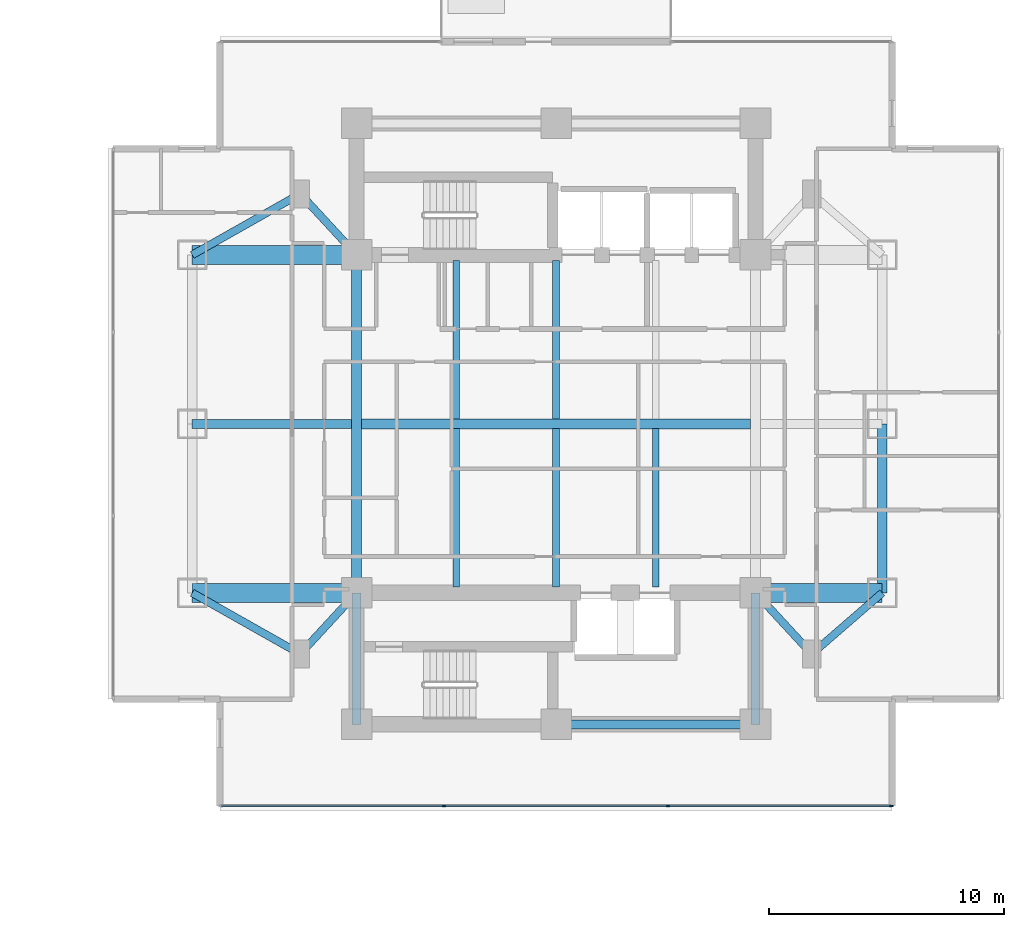
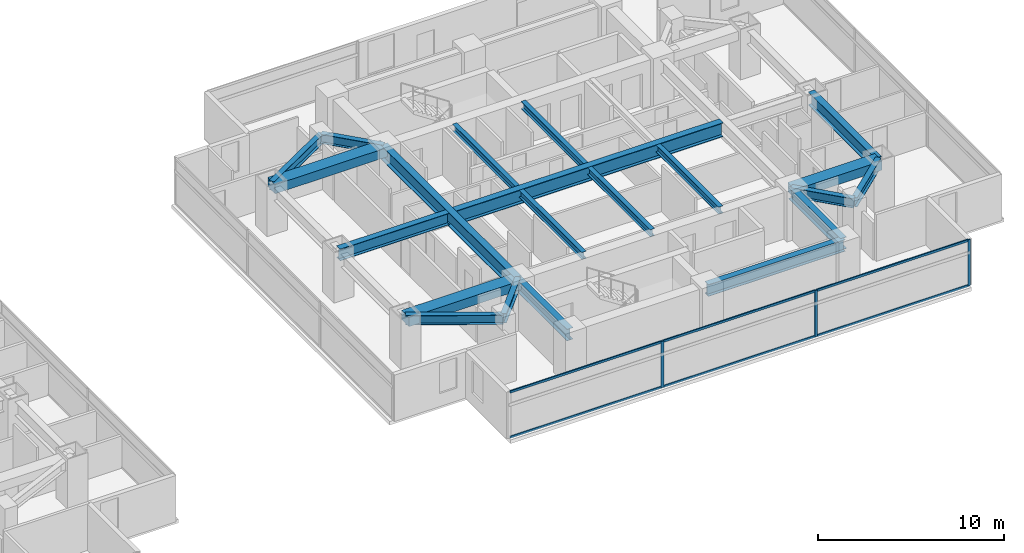
# One storey, part 9 of 24: 21 beams, 9 members, 1 element without a shape of its own.
"""IFC4 building model written with IfcOpenShell, lengths in metres."""

from ifc_helpers import new_model, si_unit, direction, frame, origin, origin_2d, place, context, subcontext, project, spatial, rectangle, i_section, extrude, material, material_profile, profile_set, type_object, element, aggregate, save


model = new_model("IFC4")

# Units and contexts
model_context = context("Model", 3, precision=1e-05, world=origin(), true_north=direction((0.0, 1.0)))
body_context = subcontext(model_context, "Body", "Model", "MODEL_VIEW")
ifc_project = project(units=[si_unit("LENGTHUNIT", "METRE"), si_unit("AREAUNIT", "SQUARE_METRE"), si_unit("VOLUMEUNIT", "CUBIC_METRE"), si_unit("PLANEANGLEUNIT", "RADIAN"), si_unit("MASSUNIT", "GRAM", prefix="KILO")], contexts=[model_context])

# Site, building, storey
site_placement = place(None, origin())
site = spatial("IfcSite", under=ifc_project, at=site_placement, CompositionType="ELEMENT")
building_placement = place(site_placement, origin())
building = spatial("IfcBuilding", under=site, at=building_placement, Name="Mirazonda Arch Towers", CompositionType="ELEMENT")
storey_placement = place(building_placement, frame((0.0, 0.0, 71.89990234375)))
storey = spatial("IfcBuildingStorey", under=building, at=storey_placement, Name="L20", CompositionType="ELEMENT", Elevation=71.89990234375)

# Beams
ifc_material_1 = material(Name="Steel ASTM A992 Grade 50", Category="steel")
ifc_material_profile_1 = material_profile(ifc_material_1, i_section(OverallWidth=0.39990234375, OverallDepth=0.85595703125, WebThickness=0.018310546875, FlangeThickness=0.029296875, at=origin_2d()), Name="W33X201")
ifc_profile_set_1 = profile_set([ifc_material_profile_1], Name="Steel ASTM A992 Grade 50")
beam_type_1 = type_object("IfcBeamType", Name="BM-EXT-W33X201", PredefinedType="USERDEFINED", material=ifc_profile_set_1)
beam_1_placement = place(storey_placement, frame((90.39990234375, 20.800048828125, 2.632080078125), z_axis=(0.0, 1.0, 0.0), x_axis=(-1.0, 0.0, 0.0)))
element("IfcBeam", 1, at=beam_1_placement, inside=storey, type_object=beam_type_1, Name="L20 Floor Beam BM-T2-L20-NS-E-20", ObjectType="GIRDER", PredefinedType="USERDEFINED", context=body_context, shape_type="SweptSolid", body=[
    extrude(i_section(OverallWidth=0.39990234375, OverallDepth=0.85595703125, WebThickness=0.018310546875, FlangeThickness=0.029296875, at=origin_2d()), origin(), (0.0, 0.0, 1.0), 7.199951171875),
])
ifc_material_profile_2 = material_profile(ifc_material_1, i_section(OverallWidth=0.280029296875, OverallDepth=0.462890625, WebThickness=0.0107421875, FlangeThickness=0.017333984375, at=origin_2d()), Name="W18X76")
ifc_profile_set_2 = profile_set([ifc_material_profile_2], Name="Steel ASTM A992 Grade 50")
beam_type_2 = type_object("IfcBeamType", Name="BM-INT-W18X76", PredefinedType="JOIST", material=ifc_profile_set_2)
for number, where, z_axis, x_axis, name in (
    (2, (72.25, 21.0400390625, 2.82861328125), (0.0, 1.0, 0.0), (-1.0, 0.0, 0.0), "L20 Floor Beam BM-T2-L20-J-722-20"),
    (3, (72.25, 28.205078125, 2.82861328125), (0.0, 1.0, 0.0), (-1.0, 0.0, 0.0), "L20 Floor Beam BM-T2-L20-J-722-28"),
    (4, (76.5, 21.0400390625, 2.82861328125), (0.0, 1.0, 0.0), (-1.0, 0.0, 0.0), "L20 Floor Beam BM-T2-L20-J-765-20"),
    (5, (76.5, 28.205078125, 2.82861328125), (0.0, 1.0, 0.0), (-1.0, 0.0, 0.0), "L20 Floor Beam BM-T2-L20-J-765-28"),
    (6, (80.75, 21.0400390625, 2.82861328125), (0.0, 1.0, 0.0), (-1.0, 0.0, 0.0), "L20 Floor Beam BM-T2-L20-J-807-20"),
):
    element("IfcBeam", number, at=place(storey_placement, frame(where, z_axis=z_axis, x_axis=x_axis)), inside=storey, type_object=beam_type_2, Name=name, PredefinedType="JOIST", context=body_context, shape_type="SweptSolid", body=[
        extrude(i_section(OverallWidth=0.280029296875, OverallDepth=0.462890625, WebThickness=0.0107421875, FlangeThickness=0.017333984375, at=origin_2d()), origin(), (0.0, 0.0, 1.0), 6.7548828125),
    ])
ifc_material_profile_3 = material_profile(ifc_material_1, i_section(OverallWidth=0.324951171875, OverallDepth=0.615966796875, WebThickness=0.013916015625, FlangeThickness=0.021484375, at=origin_2d()), Name="W24X117")
ifc_profile_set_3 = profile_set([ifc_material_profile_3], Name="Steel ASTM A992 Grade 50")
beam_type_3 = type_object("IfcBeamType", Name="BM-INT-W24X117", PredefinedType="BEAM", material=ifc_profile_set_3)
beam_2_placement = place(storey_placement, frame((65.60009765625, 18.199951171875, 2.752197265625), z_axis=(0.678251444854, 0.734829897019, 0.0), x_axis=(-0.734829897019, 0.678251444854, 0.0)))
element("IfcBeam", 7, at=beam_2_placement, inside=storey, type_object=beam_type_3, Name="L20 Floor Beam BM-T2-L20-PL-SW1", PredefinedType="BEAM", context=body_context, shape_type="SweptSolid", body=[
    extrude(i_section(OverallWidth=0.324951171875, OverallDepth=0.615966796875, WebThickness=0.013916015625, FlangeThickness=0.021484375, at=origin_2d()), origin(), (0.0, 0.0, 1.0), 3.538330078125),
])
beam_3_placement = place(storey_placement, frame((65.60009765625, 18.199951171875, 2.752197265625), z_axis=(-0.870559396632, 0.492063346467, 0.0), x_axis=(-0.492063346467, -0.870559396632, 0.0)))
element("IfcBeam", 8, at=beam_3_placement, inside=storey, type_object=beam_type_3, Name="L20 Floor Beam BM-T2-L20-PL-SW2", PredefinedType="BEAM", context=body_context, shape_type="SweptSolid", body=[
    extrude(i_section(OverallWidth=0.324951171875, OverallDepth=0.615966796875, WebThickness=0.013916015625, FlangeThickness=0.021484375, at=origin_2d()), origin(), (0.0, 0.0, 1.0), 5.2841796875),
])
beam_4_placement = place(storey_placement, frame((87.39990234375, 18.199951171875, 2.752197265625), z_axis=(-0.678251444854, 0.734829897019, 0.0), x_axis=(-0.734829897019, -0.678251444854, 0.0)))
element("IfcBeam", 9, at=beam_4_placement, inside=storey, type_object=beam_type_3, Name="L20 Floor Beam BM-T2-L20-PL-SE1", PredefinedType="BEAM", context=body_context, shape_type="SweptSolid", body=[
    extrude(i_section(OverallWidth=0.324951171875, OverallDepth=0.615966796875, WebThickness=0.013916015625, FlangeThickness=0.021484375, at=origin_2d()), origin(), (0.0, 0.0, 1.0), 3.538330078125),
])
beam_5_placement = place(storey_placement, frame((87.39990234375, 18.199951171875, 2.752197265625), z_axis=(0.755676908098, 0.654944585876, 0.0), x_axis=(-0.654944585876, 0.755676908098, 0.0)))
element("IfcBeam", 10, at=beam_5_placement, inside=storey, type_object=beam_type_3, Name="L20 Floor Beam BM-T2-L20-PL-SE2", PredefinedType="BEAM", context=body_context, shape_type="SweptSolid", body=[
    extrude(i_section(OverallWidth=0.324951171875, OverallDepth=0.615966796875, WebThickness=0.013916015625, FlangeThickness=0.021484375, at=origin_2d()), origin(), (0.0, 0.0, 1.0), 3.969970703125),
])
beam_6_placement = place(storey_placement, frame((65.60009765625, 37.800048828125, 2.752197265625), z_axis=(0.678251444854, -0.734829897019, 0.0), x_axis=(0.734829897019, 0.678251444854, 0.0)))
element("IfcBeam", 11, at=beam_6_placement, inside=storey, type_object=beam_type_3, Name="L20 Floor Beam BM-T2-L20-PL-NW1", PredefinedType="BEAM", context=body_context, shape_type="SweptSolid", body=[
    extrude(i_section(OverallWidth=0.324951171875, OverallDepth=0.615966796875, WebThickness=0.013916015625, FlangeThickness=0.021484375, at=origin_2d()), origin(), (0.0, 0.0, 1.0), 3.538330078125),
])
beam_7_placement = place(storey_placement, frame((65.60009765625, 37.800048828125, 2.752197265625), z_axis=(-0.870559396632, -0.492063346467, 0.0), x_axis=(0.492063346467, -0.870559396632, 0.0)))
element("IfcBeam", 12, at=beam_7_placement, inside=storey, type_object=beam_type_3, Name="L20 Floor Beam BM-T2-L20-PL-NW2", PredefinedType="BEAM", context=body_context, shape_type="SweptSolid", body=[
    extrude(i_section(OverallWidth=0.324951171875, OverallDepth=0.615966796875, WebThickness=0.013916015625, FlangeThickness=0.021484375, at=origin_2d()), origin(), (0.0, 0.0, 1.0), 5.2841796875),
])
ifc_material_profile_4 = material_profile(ifc_material_1, i_section(OverallWidth=0.381103515625, OverallDepth=0.77294921875, WebThickness=0.0166015625, FlangeThickness=0.027099609375, at=origin_2d()), Name="W30X173")
ifc_profile_set_4 = profile_set([ifc_material_profile_4], Name="Steel ASTM A992 Grade 50")
beam_type_4 = type_object("IfcBeamType", Name="BM-INT-W30X173", PredefinedType="USERDEFINED", material=ifc_profile_set_4)
beam_8_placement = place(storey_placement, frame((76.5, 15.199951171875, 2.673583984375), z_axis=(1.0, 0.0, 0.0), x_axis=(0.0, 1.0, 0.0)))
element("IfcBeam", 13, at=beam_8_placement, inside=storey, type_object=beam_type_4, Name="L20 Floor Beam BM-T2-L20-CS2", ObjectType="GIRDER", PredefinedType="USERDEFINED", context=body_context, shape_type="SweptSolid", body=[
    extrude(i_section(OverallWidth=0.381103515625, OverallDepth=0.77294921875, WebThickness=0.0166015625, FlangeThickness=0.027099609375, at=origin_2d()), origin(), (0.0, 0.0, 1.0), 8.5),
])
for number, where, z_axis, x_axis, name in (
    (14, (68.0, 15.199951171875, 2.673583984375), (0.0, 1.0, 0.0), (-1.0, 0.0, 0.0), "L20 Floor Beam BM-T2-L20-CSW"),
    (15, (85.0, 15.199951171875, 2.673583984375), (0.0, 1.0, 0.0), (-1.0, 0.0, 0.0), "L20 Floor Beam BM-T2-L20-CSE"),
):
    element("IfcBeam", number, at=place(storey_placement, frame(where, z_axis=z_axis, x_axis=x_axis)), inside=storey, type_object=beam_type_4, Name=name, ObjectType="GIRDER", PredefinedType="USERDEFINED", context=body_context, shape_type="SweptSolid", body=[
        extrude(i_section(OverallWidth=0.381103515625, OverallDepth=0.77294921875, WebThickness=0.0166015625, FlangeThickness=0.027099609375, at=origin_2d()), origin(), (0.0, 0.0, 1.0), 5.60009765625),
    ])
beam_9_placement = place(storey_placement, frame((61.0, 28.0, 2.673583984375), z_axis=(1.0, 0.0, 0.0), x_axis=(0.0, 1.0, 0.0)))
element("IfcBeam", 16, at=beam_9_placement, inside=storey, type_object=beam_type_4, Name="L20 Floor Beam BM-T2-L20-GW2", ObjectType="GIRDER", PredefinedType="USERDEFINED", context=body_context, shape_type="SweptSolid", body=[
    extrude(i_section(OverallWidth=0.381103515625, OverallDepth=0.77294921875, WebThickness=0.0166015625, FlangeThickness=0.027099609375, at=origin_2d()), origin(), (0.0, 0.0, 1.0), 6.791015625),
])
ifc_material_profile_5 = material_profile(ifc_material_1, i_section(OverallWidth=0.41796875, OverallDepth=0.927001953125, WebThickness=0.019287109375, FlangeThickness=0.031982421875, at=origin_2d()), Name="W36X231")
ifc_profile_set_5 = profile_set([ifc_material_profile_5], Name="Steel ASTM A992 Grade 50")
beam_type_5 = type_object("IfcBeamType", Name="BM-INT-W36X231", PredefinedType="USERDEFINED", material=ifc_profile_set_5)
beam_10_placement = place(storey_placement, frame((68.208984375, 28.0, 2.5966796875), z_axis=(1.0, 0.0, 0.0), x_axis=(0.0, 1.0, 0.0)))
element("IfcBeam", 17, at=beam_10_placement, inside=storey, type_object=beam_type_5, Name="L20 Floor Beam BM-T2-L20-GC2", ObjectType="GIRDER", PredefinedType="USERDEFINED", context=body_context, shape_type="SweptSolid", body=[
    extrude(i_section(OverallWidth=0.41796875, OverallDepth=0.927001953125, WebThickness=0.019287109375, FlangeThickness=0.031982421875, at=origin_2d()), origin(), (0.0, 0.0, 1.0), 16.58203125),
])
beam_11_placement = place(storey_placement, frame((68.0, 20.800048828125, 2.5966796875), z_axis=(0.0, 1.0, 0.0), x_axis=(-1.0, 0.0, 0.0)))
element("IfcBeam", 18, at=beam_11_placement, inside=storey, type_object=beam_type_5, Name="L20 Floor Beam BM-T2-L20-NS-CW-FULL", ObjectType="GIRDER", PredefinedType="USERDEFINED", context=body_context, shape_type="SweptSolid", body=[
    extrude(i_section(OverallWidth=0.41796875, OverallDepth=0.927001953125, WebThickness=0.019287109375, FlangeThickness=0.031982421875, at=origin_2d()), origin(), (0.0, 0.0, 1.0), 14.39990234375),
])
ifc_material_2 = material(Name="Concrete C60/75", Category="concrete")
ifc_material_profile_6 = material_profile(ifc_material_2, rectangle(XDim=0.800048828125, YDim=0.60009765625, at=origin_2d()), Name="RCCB800x600")
ifc_profile_set_6 = profile_set([ifc_material_profile_6], Name="Concrete C60/75")
beam_type_6 = type_object("IfcBeamType", Name="CB-INT-RCCB800x600", PredefinedType="SPANDREL", material=ifc_profile_set_6)
for number, where, z_axis, x_axis, name in (
    (19, (61.0, 35.199951171875, 2.760009765625), (1.0, 0.0, 0.0), (0.0, 1.0, 0.0), "L20 Floor Beam CBC-T2-L20-NW"),
    (20, (61.0, 20.800048828125, 2.760009765625), (1.0, 0.0, 0.0), (0.0, 1.0, 0.0), "L20 Floor Beam CBC-T2-L20-SW"),
):
    element("IfcBeam", number, at=place(storey_placement, frame(where, z_axis=z_axis, x_axis=x_axis)), inside=storey, type_object=beam_type_6, Name=name, PredefinedType="SPANDREL", context=body_context, shape_type="SweptSolid", body=[
        extrude(rectangle(XDim=0.800048828125, YDim=0.60009765625, at=origin_2d()), origin(), (0.0, 0.0, 1.0), 7.0),
    ])
beam_12_placement = place(storey_placement, frame((85.0, 20.800048828125, 2.760009765625), z_axis=(1.0, 0.0, 0.0), x_axis=(0.0, 1.0, 0.0)))
element("IfcBeam", 21, at=beam_12_placement, inside=storey, type_object=beam_type_6, Name="L20 Floor Beam CBC-T2-L20-SE", PredefinedType="SPANDREL", context=body_context, shape_type="SweptSolid", body=[
    extrude(rectangle(XDim=0.800048828125, YDim=0.60009765625, at=origin_2d()), origin(), (0.0, 0.0, 1.0), 5.39990234375),
])

# Curtain wall, members
ifc_material_3 = material(Name="Anodised Aluminium and Low-E Glass", Category="aluminium")
curtain_wall_type = type_object("IfcCurtainWallType", Name="CW-HTL-UNIT", PredefinedType="NOTDEFINED", material=ifc_material_3)
curtain_wall_placement = place(storey_placement, origin())
curtain_wall = element("IfcCurtainWall", 22, at=curtain_wall_placement, inside=storey, type_object=curtain_wall_type, Name="L20 T2 S Facade CW-L20-T2-S", PredefinedType="NOTDEFINED")
ifc_material_4 = material(Name="Anodised Aluminium Alloy", Category="aluminium")
ifc_material_profile_7 = material_profile(ifc_material_4, rectangle(XDim=0.074951171875, YDim=0.1650390625, at=origin_2d()), Name="ALU-MULL-75x165")
ifc_profile_set_7 = profile_set([ifc_material_profile_7], Name="Anodised Aluminium Alloy")
member_type_1 = type_object("IfcMemberType", Name="MULL-CW-HTL-UNIT", PredefinedType="MULLION", material=ifc_profile_set_7)
member_1_placement = place(storey_placement, frame((90.784423828125, 11.72412109375, 0.0), z_axis=(0.0, 0.0, 1.0), x_axis=(0.0, -1.0, 0.0)))
member_1 = element("IfcMember", 23, at=member_1_placement, type_object=member_type_1, Name="CW-112 mullion 1", PredefinedType="MULLION", context=body_context, shape_type="SweptSolid", body=[
    extrude(rectangle(XDim=0.074951171875, YDim=0.1650390625, at=origin_2d()), origin(), (0.0, 0.0, 1.0), 3.0400390625),
])
member_2_placement = place(storey_placement, frame((81.27392578125, 11.72412109375, 0.0), z_axis=(0.0, 0.0, 1.0), x_axis=(0.0, -1.0, 0.0)))
member_2 = element("IfcMember", 24, at=member_2_placement, type_object=member_type_1, Name="CW-112 mullion 2", PredefinedType="MULLION", context=body_context, shape_type="SweptSolid", body=[
    extrude(rectangle(XDim=0.074951171875, YDim=0.1650390625, at=origin_2d()), origin(), (0.0, 0.0, 1.0), 3.0400390625),
])
member_3_placement = place(storey_placement, frame((71.72607421875, 11.72412109375, 0.0), z_axis=(0.0, 0.0, 1.0), x_axis=(0.0, -1.0, 0.0)))
member_3 = element("IfcMember", 25, at=member_3_placement, type_object=member_type_1, Name="CW-112 mullion 3", PredefinedType="MULLION", context=body_context, shape_type="SweptSolid", body=[
    extrude(rectangle(XDim=0.074951171875, YDim=0.1650390625, at=origin_2d()), origin(), (0.0, 0.0, 1.0), 3.0400390625),
])
ifc_material_profile_8 = material_profile(ifc_material_4, rectangle(XDim=0.074951171875, YDim=0.14501953125, at=origin_2d()), Name="ALU-TRAN-75x145")
ifc_profile_set_8 = profile_set([ifc_material_profile_8], Name="Anodised Aluminium Alloy")
member_type_2 = type_object("IfcMemberType", Name="TRAN-CW-HTL-UNIT", PredefinedType="USERDEFINED", material=ifc_profile_set_8)
member_4_placement = place(storey_placement, frame((90.7470703125, 11.72412109375, 0.03759765625), z_axis=(-1.0, 0.0, 0.0), x_axis=(0.0, -1.0, 0.0)))
member_4 = element("IfcMember", 26, at=member_4_placement, type_object=member_type_2, Name="CW-112 transom 1.1", ObjectType="TRANSOM", PredefinedType="USERDEFINED", context=body_context, shape_type="SweptSolid", body=[
    extrude(rectangle(XDim=0.074951171875, YDim=0.14501953125, at=origin_2d()), origin(), (0.0, 0.0, 1.0), 9.435546875),
])
member_5_placement = place(storey_placement, frame((90.7470703125, 11.72412109375, 3.002685546875), z_axis=(-1.0, 0.0, 0.0), x_axis=(0.0, -1.0, 0.0)))
member_5 = element("IfcMember", 27, at=member_5_placement, type_object=member_type_2, Name="CW-112 transom 1.2", ObjectType="TRANSOM", PredefinedType="USERDEFINED", context=body_context, shape_type="SweptSolid", body=[
    extrude(rectangle(XDim=0.074951171875, YDim=0.14501953125, at=origin_2d()), origin(), (0.0, 0.0, 1.0), 9.435546875),
])
member_6_placement = place(storey_placement, frame((81.236572265625, 11.72412109375, 0.03759765625), z_axis=(-1.0, 0.0, 0.0), x_axis=(0.0, -1.0, 0.0)))
member_6 = element("IfcMember", 28, at=member_6_placement, type_object=member_type_2, Name="CW-112 transom 2.1", ObjectType="TRANSOM", PredefinedType="USERDEFINED", context=body_context, shape_type="SweptSolid", body=[
    extrude(rectangle(XDim=0.074951171875, YDim=0.14501953125, at=origin_2d()), origin(), (0.0, 0.0, 1.0), 9.47314453125),
])
member_7_placement = place(storey_placement, frame((81.236572265625, 11.72412109375, 3.002685546875), z_axis=(-1.0, 0.0, 0.0), x_axis=(0.0, -1.0, 0.0)))
member_7 = element("IfcMember", 29, at=member_7_placement, type_object=member_type_2, Name="CW-112 transom 2.2", ObjectType="TRANSOM", PredefinedType="USERDEFINED", context=body_context, shape_type="SweptSolid", body=[
    extrude(rectangle(XDim=0.074951171875, YDim=0.14501953125, at=origin_2d()), origin(), (0.0, 0.0, 1.0), 9.47314453125),
])
member_8_placement = place(storey_placement, frame((71.6884765625, 11.72412109375, 0.03759765625), z_axis=(-1.0, 0.0, 0.0), x_axis=(0.0, -1.0, 0.0)))
member_8 = element("IfcMember", 30, at=member_8_placement, type_object=member_type_2, Name="CW-112 transom 3.1", ObjectType="TRANSOM", PredefinedType="USERDEFINED", context=body_context, shape_type="SweptSolid", body=[
    extrude(rectangle(XDim=0.074951171875, YDim=0.14501953125, at=origin_2d()), origin(), (0.0, 0.0, 1.0), 9.435546875),
])
member_9_placement = place(storey_placement, frame((71.6884765625, 11.72412109375, 3.002685546875), z_axis=(-1.0, 0.0, 0.0), x_axis=(0.0, -1.0, 0.0)))
member_9 = element("IfcMember", 31, at=member_9_placement, type_object=member_type_2, Name="CW-112 transom 3.2", ObjectType="TRANSOM", PredefinedType="USERDEFINED", context=body_context, shape_type="SweptSolid", body=[
    extrude(rectangle(XDim=0.074951171875, YDim=0.14501953125, at=origin_2d()), origin(), (0.0, 0.0, 1.0), 9.435546875),
])
aggregate(curtain_wall, [member_1, member_2, member_3, member_4, member_5, member_6, member_7, member_8, member_9])

save(model, "model.ifc")
